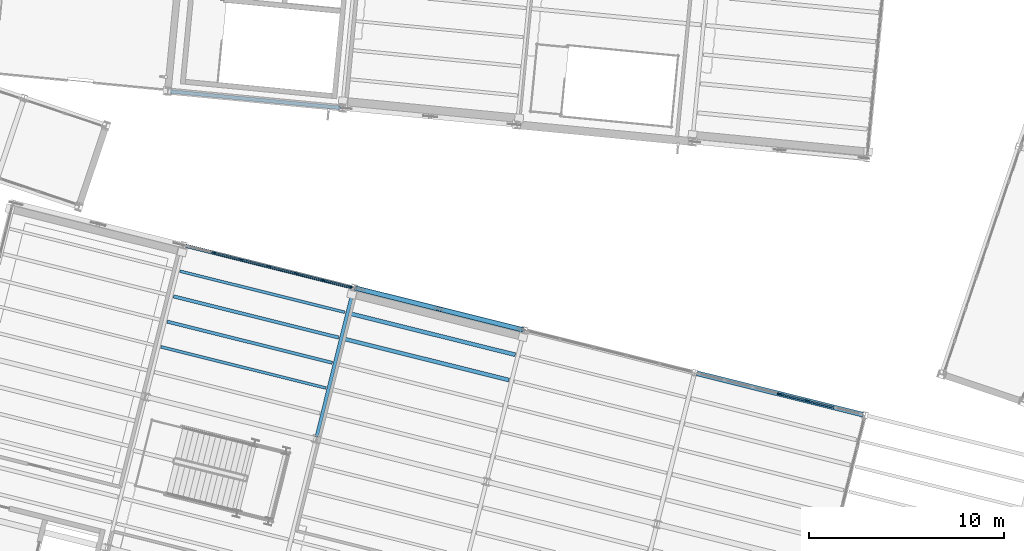
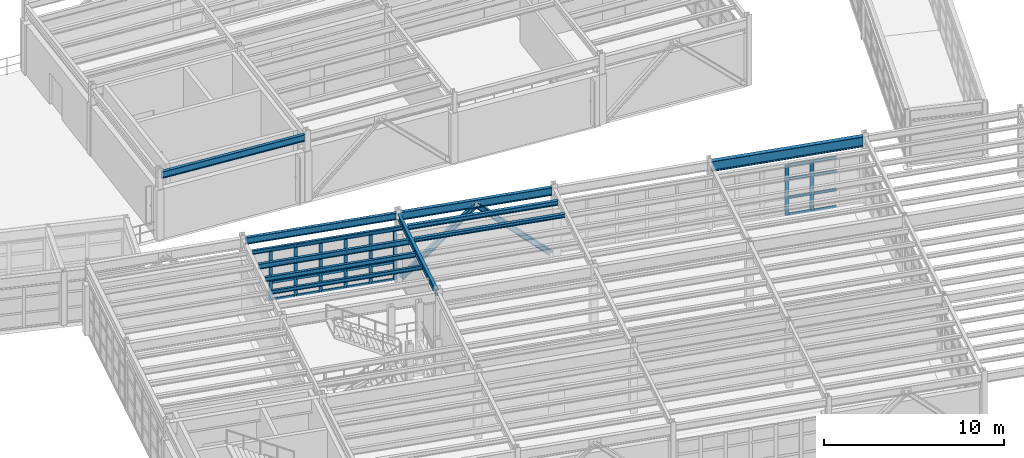
# One storey, part 32 of 102: 38 members, 11 beams, 2 elements without a shape of their own.
"""IFC4 building model written with IfcOpenShell, lengths in metres."""

import ifcopenshell
import ifcopenshell.guid

model = None  # the IFC model being written
_history = None  # IfcOwnerHistory: only IFC2X3 demands one
_inside = {}  # id of a spatial element -> (the spatial element, [elements in it])
_under = {}  # id of a project, library or spatial element -> (it, [spatial elements below it])
_declared = {}  # id of a project -> (the project, [libraries it declares])
_typed = {}  # id of a type object -> (the type object, [elements of that type])
_made_of = {}  # id of a material, layer set ... -> (it, [elements and type objects made of it])


def new_model(schema):
    """Start an empty IFC model of exactly this schema.

    Asked for "IFC4X3", IfcOpenShell would pick the latest addendum, in which some entities
    have other attributes; the version numbers below select the first issue.
    IFC2X3 requires an IfcOwnerHistory on every rooted entity: one is made here for all.
    """
    global model, _history
    if schema == "IFC4X3":
        model = ifcopenshell.file(schema_version=(4, 3, 0, 0))
    else:
        model = ifcopenshell.file(schema=schema)
    _inside.clear()
    _under.clear()
    _declared.clear()
    _typed.clear()
    _made_of.clear()
    _history = None
    if model.schema == "IFC2X3":
        org = make("IfcOrganization", Name="unknown")
        user = make(
            "IfcPersonAndOrganization",
            ThePerson=make("IfcPerson", FamilyName="unknown"),
            TheOrganization=org,
        )
        app = make(
            "IfcApplication",
            ApplicationDeveloper=org,
            Version="unknown",
            ApplicationFullName="unknown",
            ApplicationIdentifier="unknown",
        )
        _history = make(
            "IfcOwnerHistory",
            OwningUser=user,
            OwningApplication=app,
            ChangeAction="ADDED",
            CreationDate=0,
        )
    return model


def make(cls, **values):
    """One entity of the class cls with the attributes given. An attribute that is None is left unset."""
    return model.create_entity(
        cls, **{name: value for name, value in values.items() if value is not None}
    )


def rooted(cls, **values):
    """An entity with a GlobalId (a new one), such as an element, a storey or a relation."""
    return make(cls, GlobalId=ifcopenshell.guid.new(), OwnerHistory=_history, **values)


def si_unit(unit_type, name, prefix=None):
    """IfcSIUnit, for example si_unit("LENGTHUNIT", "METRE", prefix="MILLI")."""
    return make("IfcSIUnit", UnitType=unit_type, Prefix=prefix, Name=name)


def assignment(units):
    """IfcUnitAssignment: the units of a project."""
    return None if units is None else make("IfcUnitAssignment", Units=units)


def point(xyz):
    """IfcCartesianPoint."""
    return None if xyz is None else make("IfcCartesianPoint", Coordinates=xyz)


def direction(xyz):
    """IfcDirection."""
    return None if xyz is None else make("IfcDirection", DirectionRatios=xyz)


def frame(location, z_axis=None, x_axis=None):
    """IfcAxis2Placement3D, a coordinate frame: its origin and axes. An axis left out is left unset."""
    return make(
        "IfcAxis2Placement3D",
        Location=point(location),
        Axis=direction(z_axis),
        RefDirection=direction(x_axis),
    )


def frame_2d(location, x_axis=None):
    """IfcAxis2Placement2D, a coordinate frame in the plane: its origin and x axis."""
    return make(
        "IfcAxis2Placement2D", Location=point(location), RefDirection=direction(x_axis)
    )


def origin():
    """The frame at (0, 0, 0) with its axes left unset."""
    return frame((0.0, 0.0, 0.0))


def origin_2d():
    """The frame at (0, 0) in the plane with its x axis left unset."""
    return frame_2d((0.0, 0.0))


def place(relative_to, where):
    """IfcLocalPlacement: puts the frame where relative to a parent placement (None: the world)."""
    return make(
        "IfcLocalPlacement", PlacementRelTo=relative_to, RelativePlacement=where
    )


def context(
    kind, dimensions, precision=None, world=None, true_north=None, identifier=None
):
    """IfcGeometricRepresentationContext, for example the 3D "Model" context."""
    return make(
        "IfcGeometricRepresentationContext",
        ContextIdentifier=identifier,
        ContextType=kind,
        CoordinateSpaceDimension=dimensions,
        Precision=precision,
        WorldCoordinateSystem=world,
        TrueNorth=true_north,
    )


def subcontext(parent, identifier, kind, view, scale=None):
    """IfcGeometricRepresentationSubContext, for example "Body" below "Model"."""
    return make(
        "IfcGeometricRepresentationSubContext",
        ContextIdentifier=identifier,
        ContextType=kind,
        ParentContext=parent,
        TargetScale=scale,
        TargetView=view,
    )


def project(units=None, contexts=None):
    """IfcProject with its units and contexts."""
    return rooted(
        "IfcProject",
        Name="project",
        RepresentationContexts=contexts,
        UnitsInContext=assignment(units),
    )


def spatial(cls, under=None, at=None, **own):
    """A site, building, storey or space (cls), placed at a placement, below another one or the project."""
    s = rooted(cls, ObjectPlacement=at, **own)
    if under is not None:
        _under.setdefault(under.id(), (under, []))[1].append(s)
    return s


def profile(cls, at=None, kind="AREA", **sizes):
    """A parametric profile (cls). Its sizes go by their IFC names, for example OverallWidth=200.0."""
    return make(cls, ProfileType=kind, Position=at, **sizes)


def rectangle(**sizes):
    """IfcRectangleProfileDef."""
    return profile("IfcRectangleProfileDef", **sizes)


def i_section(**sizes):
    """IfcIShapeProfileDef."""
    return profile("IfcIShapeProfileDef", **sizes)


def extrude(swept, where, along, depth):
    """IfcExtrudedAreaSolid: the profile swept, set in the frame where, extruded along a direction by depth."""
    return make(
        "IfcExtrudedAreaSolid",
        SweptArea=swept,
        Position=where,
        ExtrudedDirection=direction(along),
        Depth=depth,
    )


def shape(context_of_items, identifier, shape_type, items):
    """IfcShapeRepresentation: the items that make up one representation, for example the "Body"."""
    return make(
        "IfcShapeRepresentation",
        ContextOfItems=context_of_items,
        RepresentationIdentifier=identifier,
        RepresentationType=shape_type,
        Items=items,
    )


def material(Name=None, Category=None):
    """IfcMaterial."""
    return make("IfcMaterial", Name=Name, Category=Category)


def layer(
    of_material, thickness, ventilated=None, Name=None, Category=None, Priority=None
):
    """IfcMaterialLayer: one layer of a wall or slab, of a material (None: an air gap)."""
    return make(
        "IfcMaterialLayer",
        Material=of_material,
        LayerThickness=thickness,
        IsVentilated=ventilated,
        Name=Name,
        Category=Category,
        Priority=Priority,
    )


def layer_set(layers, Name=None):
    """IfcMaterialLayerSet."""
    return make("IfcMaterialLayerSet", MaterialLayers=layers, LayerSetName=Name)


def material_profile(
    of_material, cross_section, Name=None, Category=None, Priority=None
):
    """IfcMaterialProfile: a cross section and its material."""
    return make(
        "IfcMaterialProfile",
        Name=Name,
        Material=of_material,
        Profile=cross_section,
        Priority=Priority,
        Category=Category,
    )


def profile_set(profiles, Name=None, composite=None):
    """IfcMaterialProfileSet."""
    return make(
        "IfcMaterialProfileSet",
        Name=Name,
        MaterialProfiles=profiles,
        CompositeProfile=composite,
    )


def made_of(thing, what):
    """Note that an element or type object is made of a material, layer set ...; save() writes the relation."""
    if what is not None:
        _made_of.setdefault(what.id(), (what, []))[1].append(thing)
    return thing


def type_object(cls, material=None, **own):
    """A type object (cls), such as IfcWallType, which elements share."""
    return made_of(rooted(cls, **own), material)


def element(
    cls,
    number,
    at=None,
    inside=None,
    cuts=None,
    type_object=None,
    material=None,
    context=None,
    identifier="Body",
    shape_type=None,
    held_by="IfcProductDefinitionShape",
    body=None,
    shapes=None,
    **own,
):
    """One element of the class cls, such as IfcWall. Its Tag is "e" and its number.

    at: its placement. inside: the storey or other place that contains it. cuts: it is an
    opening in that element (IfcRelVoidsElement). A single representation is given by context,
    identifier, shape_type and body (its items); several are given by shapes. held_by: the class
    of the entity that holds the representations. save() writes the other relations.
    """
    e = rooted(cls, Tag="e%d" % number, ObjectPlacement=at, **own)
    if body is not None:
        shapes = [shape(context, identifier, shape_type, body)]
    if shapes is not None:
        e.Representation = make(held_by, Representations=shapes)
    if inside is not None:
        _inside.setdefault(inside.id(), (inside, []))[1].append(e)
    if cuts is not None:
        rooted(
            "IfcRelVoidsElement", RelatingBuildingElement=cuts, RelatedOpeningElement=e
        )
    if type_object is not None:
        _typed.setdefault(type_object.id(), (type_object, []))[1].append(e)
    return made_of(e, material)


def aggregate(whole, parts):
    """IfcRelAggregates: a whole, such as a stair, and the parts it consists of."""
    return rooted("IfcRelAggregates", RelatingObject=whole, RelatedObjects=parts)


def save(model, path):
    """Write the relations noted so far, then the file.

    IfcRelAggregates (storeys below a building ...), IfcRelContainedInSpatialStructure (elements
    in a storey), IfcRelDefinesByType, IfcRelAssociatesMaterial and IfcRelDeclares: one each for
    every whole, place, type object, material and project.
    """
    for whole, parts in _under.values():
        aggregate(whole, parts)
    for where, things in _inside.values():
        rooted(
            "IfcRelContainedInSpatialStructure",
            RelatedElements=things,
            RelatingStructure=where,
        )
    for kind, things in _typed.values():
        rooted("IfcRelDefinesByType", RelatedObjects=things, RelatingType=kind)
    for what, things in _made_of.values():
        rooted("IfcRelAssociatesMaterial", RelatedObjects=things, RelatingMaterial=what)
    for by, libraries in _declared.values():
        rooted("IfcRelDeclares", RelatingContext=by, RelatedDefinitions=libraries)
    model.write(path)


model = new_model("IFC4")

# Units and contexts
model_context = context("Model", 3, precision=1e-05, world=origin(), true_north=direction((0.0, 1.0)))
body_context = subcontext(model_context, "Body", "Model", "MODEL_VIEW")
ifc_project = project(units=[si_unit("LENGTHUNIT", "METRE"), si_unit("AREAUNIT", "SQUARE_METRE"), si_unit("VOLUMEUNIT", "CUBIC_METRE"), si_unit("PLANEANGLEUNIT", "RADIAN"), si_unit("MASSUNIT", "GRAM", prefix="KILO")], contexts=[model_context])

# Site, building, storey
site_placement = place(None, origin())
site = spatial("IfcSite", under=ifc_project, at=site_placement, CompositionType="ELEMENT")
building_placement = place(site_placement, origin())
building = spatial("IfcBuilding", under=site, at=building_placement, Name="Vireo Bluff Cable Station", CompositionType="ELEMENT")
storey_placement = place(building_placement, frame((0.0, 0.0, 9.60009765625)))
storey = spatial("IfcBuildingStorey", under=building, at=storey_placement, Name="L02", CompositionType="ELEMENT", Elevation=9.60009765625)

# Beam
ifc_material_1 = material(Name="Steel ASTM A992 Gr. 50", Category="steel")
ifc_material_profile_1 = material_profile(ifc_material_1, i_section(OverallWidth=0.178955078125, OverallDepth=0.408935546875, WebThickness=0.0087890625, FlangeThickness=0.014404296875, FilletRadius=0.010009765625, at=origin_2d()), Name="W16X45")
ifc_profile_set_1 = profile_set([ifc_material_profile_1], Name="Steel ASTM A992 Gr. 50")
beam_type_1 = type_object("IfcBeamType", Name="BM-W16X45", PredefinedType="BEAM", material=ifc_profile_set_1)
beam_1_placement = place(storey_placement, frame((75.364990234375, 49.28662109375, 4.33544921875), z_axis=(0.241935966891, 0.970292217801, 0.0), x_axis=(-0.970292217801, 0.241935966891, 0.0)))
element("IfcBeam", 1, at=beam_1_placement, inside=storey, type_object=beam_type_1, Name="V1 L02 beam 177", PredefinedType="BEAM", context=body_context, shape_type="SweptSolid", body=[
    extrude(i_section(OverallWidth=0.178955078125, OverallDepth=0.408935546875, WebThickness=0.0087890625, FlangeThickness=0.014404296875, FilletRadius=0.010009765625, at=origin_2d()), origin(), (0.0, 0.0, 1.0), 7.760009765625),
])

# Members
ifc_material_profile_2 = material_profile(ifc_material_1, i_section(OverallWidth=0.25390625, OverallDepth=0.305908203125, WebThickness=0.0087890625, FlangeThickness=0.0146484375, FilletRadius=0.010986328125, at=origin_2d()), Name="W12X53")
ifc_profile_set_2 = profile_set([ifc_material_profile_2], Name="Steel ASTM A992 Gr. 50")
member_type_1 = type_object("IfcMemberType", Name="BRC-04", PredefinedType="BRACE", material=ifc_profile_set_2)
member_1_placement = place(storey_placement, frame((77.4267578125, 56.893798828125, 0.039794921875), z_axis=(0.702063519762, -0.175068135349, 0.690259344163), x_axis=(0.241953175614, 0.970287926757, 0.0)))
element("IfcMember", 2, at=member_1_placement, inside=storey, type_object=member_type_1, Name="V1 L02 concentric brace 9L", PredefinedType="BRACE", context=body_context, shape_type="SweptSolid", body=[
    extrude(i_section(OverallWidth=0.25390625, OverallDepth=0.305908203125, WebThickness=0.0087890625, FlangeThickness=0.0146484375, FilletRadius=0.010986328125, at=origin_2d()), origin(), (0.0, 0.0, 1.0), 5.998046875),
])
ifc_material_profile_3 = material_profile(ifc_material_1, i_section(OverallWidth=0.25390625, OverallDepth=0.31005859375, WebThickness=0.009033203125, FlangeThickness=0.016357421875, FilletRadius=0.010986328125, at=origin_2d()), Name="W12X58")
ifc_profile_set_3 = profile_set([ifc_material_profile_3], Name="Steel ASTM A992 Gr. 50")
member_type_2 = type_object("IfcMemberType", Name="BRC-05", PredefinedType="BRACE", material=ifc_profile_set_3)
member_2_placement = place(storey_placement, frame((85.848876953125, 54.7939453125, 0.039794921875), z_axis=(-0.702089162406, 0.175023676639, 0.690244536847), x_axis=(-0.241887009228, -0.970304423759, 0.0)))
element("IfcMember", 3, at=member_2_placement, inside=storey, type_object=member_type_2, Name="V1 L02 concentric brace 10R", PredefinedType="BRACE", context=body_context, shape_type="SweptSolid", body=[
    extrude(i_section(OverallWidth=0.25390625, OverallDepth=0.31005859375, WebThickness=0.009033203125, FlangeThickness=0.016357421875, FilletRadius=0.010986328125, at=origin_2d()), origin(), (0.0, 0.0, 1.0), 5.998046875),
])

# Curtain wall, members
ifc_material_2 = material(Name="Anodized Aluminium 6063-T6", Category="aluminium")
ifc_layer_1 = layer(ifc_material_2, 0.179931640625, Name="Anodized Aluminium 6063-T6")
ifc_layer_set_1 = layer_set([ifc_layer_1], Name="Anodized Aluminium 6063-T6")
curtain_wall_type_1 = type_object("IfcCurtainWallType", Name="CW-UNIT-1500", PredefinedType="USERDEFINED", material=ifc_layer_set_1)
curtain_wall_1_placement = place(storey_placement, origin())
curtain_wall_1 = element("IfcCurtainWall", 4, at=curtain_wall_1_placement, inside=storey, type_object=curtain_wall_type_1, Name="V1 L02 north curtain wall CW-013", ObjectType="UNITISED CURTAIN WALL", PredefinedType="USERDEFINED")
ifc_material_profile_4 = material_profile(ifc_material_2, rectangle(XDim=0.074951171875, YDim=0.2099609375, at=origin_2d()), Name="ALU-M-75X210")
ifc_profile_set_4 = profile_set([ifc_material_profile_4], Name="Anodized Aluminium 6063-T6")
member_type_3 = type_object("IfcMemberType", Name="CWM-02", PredefinedType="MULLION", material=ifc_profile_set_4)
member_3_placement = place(storey_placement, frame((70.0966796875, 58.721435546875, 0.0), z_axis=(0.0, 0.0, 1.0), x_axis=(0.24192190952, 0.970295722805, 0.0)))
member_3 = element("IfcMember", 5, at=member_3_placement, type_object=member_type_3, Name="CW-013 mullion 2", PredefinedType="MULLION", context=body_context, shape_type="SweptSolid", body=[
    extrude(rectangle(XDim=0.074951171875, YDim=0.2099609375, at=origin_2d()), origin(), (0.0, 0.0, 1.0), 3.39990234375),
])
member_4_placement = place(storey_placement, frame((71.5009765625, 58.371337890625, 0.0), z_axis=(0.0, 0.0, 1.0), x_axis=(0.24192190952, 0.970295722805, 0.0)))
member_4 = element("IfcMember", 6, at=member_4_placement, type_object=member_type_3, Name="CW-013 mullion 3", PredefinedType="MULLION", context=body_context, shape_type="SweptSolid", body=[
    extrude(rectangle(XDim=0.074951171875, YDim=0.2099609375, at=origin_2d()), origin(), (0.0, 0.0, 1.0), 3.39990234375),
])
member_5_placement = place(storey_placement, frame((72.905029296875, 58.021240234375, 0.0), z_axis=(0.0, 0.0, 1.0), x_axis=(0.24192190952, 0.970295722805, 0.0)))
member_5 = element("IfcMember", 7, at=member_5_placement, type_object=member_type_3, Name="CW-013 mullion 4", PredefinedType="MULLION", context=body_context, shape_type="SweptSolid", body=[
    extrude(rectangle(XDim=0.074951171875, YDim=0.2099609375, at=origin_2d()), origin(), (0.0, 0.0, 1.0), 3.39990234375),
])
member_6_placement = place(storey_placement, frame((74.309326171875, 57.671142578125, 0.0), z_axis=(0.0, 0.0, 1.0), x_axis=(0.24192190952, 0.970295722805, 0.0)))
member_6 = element("IfcMember", 8, at=member_6_placement, type_object=member_type_3, Name="CW-013 mullion 5", PredefinedType="MULLION", context=body_context, shape_type="SweptSolid", body=[
    extrude(rectangle(XDim=0.074951171875, YDim=0.2099609375, at=origin_2d()), origin(), (0.0, 0.0, 1.0), 3.39990234375),
])
member_7_placement = place(storey_placement, frame((75.71337890625, 57.321044921875, 0.0), z_axis=(0.0, 0.0, 1.0), x_axis=(0.24192190952, 0.970295722805, 0.0)))
member_7 = element("IfcMember", 9, at=member_7_placement, type_object=member_type_3, Name="CW-013 mullion 6", PredefinedType="MULLION", context=body_context, shape_type="SweptSolid", body=[
    extrude(rectangle(XDim=0.074951171875, YDim=0.2099609375, at=origin_2d()), origin(), (0.0, 0.0, 1.0), 3.39990234375),
])
member_8_placement = place(storey_placement, frame((77.081298828125, 56.97998046875, 0.0), z_axis=(0.0, 0.0, 1.0), x_axis=(0.24192190952, 0.970295722805, 0.0)))
member_8 = element("IfcMember", 10, at=member_8_placement, type_object=member_type_3, Name="CW-013 mullion 7", PredefinedType="MULLION", context=body_context, shape_type="SweptSolid", body=[
    extrude(rectangle(XDim=0.074951171875, YDim=0.2099609375, at=origin_2d()), origin(), (0.0, 0.0, 1.0), 3.39990234375),
])

ifc_layer_2 = layer(ifc_material_2, 0.179931640625, Name="Anodized Aluminium 6063-T6")
ifc_layer_set_2 = layer_set([ifc_layer_2], Name="Anodized Aluminium 6063-T6")
curtain_wall_type_2 = type_object("IfcCurtainWallType", Name="CW-UNIT-1400", PredefinedType="USERDEFINED", material=ifc_layer_set_2)
curtain_wall_2_placement = place(storey_placement, origin())
curtain_wall_2 = element("IfcCurtainWall", 11, at=curtain_wall_2_placement, inside=storey, type_object=curtain_wall_type_2, Name="V1 L02 north curtain wall CW-015", ObjectType="UNITISED CURTAIN WALL", PredefinedType="USERDEFINED")
ifc_material_profile_5 = material_profile(ifc_material_2, rectangle(XDim=0.080078125, YDim=0.239990234375, at=origin_2d()), Name="ALU-M-80X240")
ifc_profile_set_5 = profile_set([ifc_material_profile_5], Name="Anodized Aluminium 6063-T6")
member_type_4 = type_object("IfcMemberType", Name="CWM-04", PredefinedType="MULLION", material=ifc_profile_set_5)
member_9_placement = place(storey_placement, frame((99.0888671875, 51.492919921875, 0.0), z_axis=(0.0, 0.0, 1.0), x_axis=(0.241921853788, 0.970295736701, 0.0)))
member_9 = element("IfcMember", 12, at=member_9_placement, type_object=member_type_4, Name="CW-015 mullion 4", PredefinedType="MULLION", context=body_context, shape_type="SweptSolid", body=[
    extrude(rectangle(XDim=0.080078125, YDim=0.239990234375, at=origin_2d()), origin(), (0.0, 0.0, 1.0), 3.39990234375),
])
member_10_placement = place(storey_placement, frame((100.497802734375, 51.1416015625, 0.0), z_axis=(0.0, 0.0, 1.0), x_axis=(0.241921853788, 0.970295736701, 0.0)))
member_10 = element("IfcMember", 13, at=member_10_placement, type_object=member_type_4, Name="CW-015 mullion 5", PredefinedType="MULLION", context=body_context, shape_type="SweptSolid", body=[
    extrude(rectangle(XDim=0.080078125, YDim=0.239990234375, at=origin_2d()), origin(), (0.0, 0.0, 1.0), 3.39990234375),
])

# Member
ifc_material_profile_6 = material_profile(ifc_material_2, rectangle(XDim=0.074951171875, YDim=0.159912109375, at=origin_2d()), Name="ALU-T-75X160")
ifc_profile_set_6 = profile_set([ifc_material_profile_6], Name="Anodized Aluminium 6063-T6")
member_type_5 = type_object("IfcMemberType", Name="CWT-02", PredefinedType="USERDEFINED", material=ifc_profile_set_6)
member_11_placement = place(storey_placement, frame((70.133056640625, 58.71240234375, 0.037353515625), z_axis=(0.97028883238, -0.241949543828, 0.0), x_axis=(0.241949543828, 0.97028883238, 0.0)))
member_11 = element("IfcMember", 14, at=member_11_placement, type_object=member_type_5, Name="CW-013 transom 2.1", ObjectType="TRANSOM", PredefinedType="USERDEFINED", context=body_context, shape_type="SweptSolid", body=[
    extrude(rectangle(XDim=0.074951171875, YDim=0.159912109375, at=origin_2d()), origin(), (0.0, 0.0, 1.0), 1.372314453125),
])

member_12_placement = place(storey_placement, frame((70.133056640625, 58.71240234375, 1.18994140625), z_axis=(0.97028883238, -0.241949543828, 0.0), x_axis=(0.241949543828, 0.97028883238, 0.0)))
member_12 = element("IfcMember", 15, at=member_12_placement, type_object=member_type_5, Name="CW-013 transom 2.2", ObjectType="TRANSOM", PredefinedType="USERDEFINED", context=body_context, shape_type="SweptSolid", body=[
    extrude(rectangle(XDim=0.074951171875, YDim=0.159912109375, at=origin_2d()), origin(), (0.0, 0.0, 1.0), 1.372314453125),
])

member_13_placement = place(storey_placement, frame((70.133056640625, 58.71240234375, 2.447998046875), z_axis=(0.97028883238, -0.241949543828, 0.0), x_axis=(0.241949543828, 0.97028883238, 0.0)))
member_13 = element("IfcMember", 16, at=member_13_placement, type_object=member_type_5, Name="CW-013 transom 2.3", ObjectType="TRANSOM", PredefinedType="USERDEFINED", context=body_context, shape_type="SweptSolid", body=[
    extrude(rectangle(XDim=0.074951171875, YDim=0.159912109375, at=origin_2d()), origin(), (0.0, 0.0, 1.0), 1.372314453125),
])

member_14_placement = place(storey_placement, frame((70.133056640625, 58.71240234375, 3.3623046875), z_axis=(0.97028883238, -0.241949543828, 0.0), x_axis=(0.241949543828, 0.97028883238, 0.0)))
member_14 = element("IfcMember", 17, at=member_14_placement, type_object=member_type_5, Name="CW-013 transom 2.4", ObjectType="TRANSOM", PredefinedType="USERDEFINED", context=body_context, shape_type="SweptSolid", body=[
    extrude(rectangle(XDim=0.074951171875, YDim=0.159912109375, at=origin_2d()), origin(), (0.0, 0.0, 1.0), 1.372314453125),
])

member_15_placement = place(storey_placement, frame((71.537353515625, 58.362060546875, 0.037353515625), z_axis=(0.970320181492, -0.241823789959, 0.0), x_axis=(0.241823789959, 0.970320181492, 0.0)))
member_15 = element("IfcMember", 18, at=member_15_placement, type_object=member_type_5, Name="CW-013 transom 3.1", ObjectType="TRANSOM", PredefinedType="USERDEFINED", context=body_context, shape_type="SweptSolid", body=[
    extrude(rectangle(XDim=0.074951171875, YDim=0.159912109375, at=origin_2d()), origin(), (0.0, 0.0, 1.0), 1.3720703125),
])

member_16_placement = place(storey_placement, frame((71.537353515625, 58.362060546875, 1.18994140625), z_axis=(0.970320181492, -0.241823789959, 0.0), x_axis=(0.241823789959, 0.970320181492, 0.0)))
member_16 = element("IfcMember", 19, at=member_16_placement, type_object=member_type_5, Name="CW-013 transom 3.2", ObjectType="TRANSOM", PredefinedType="USERDEFINED", context=body_context, shape_type="SweptSolid", body=[
    extrude(rectangle(XDim=0.074951171875, YDim=0.159912109375, at=origin_2d()), origin(), (0.0, 0.0, 1.0), 1.3720703125),
])

member_17_placement = place(storey_placement, frame((71.537353515625, 58.362060546875, 2.447998046875), z_axis=(0.970320181492, -0.241823789959, 0.0), x_axis=(0.241823789959, 0.970320181492, 0.0)))
member_17 = element("IfcMember", 20, at=member_17_placement, type_object=member_type_5, Name="CW-013 transom 3.3", ObjectType="TRANSOM", PredefinedType="USERDEFINED", context=body_context, shape_type="SweptSolid", body=[
    extrude(rectangle(XDim=0.074951171875, YDim=0.159912109375, at=origin_2d()), origin(), (0.0, 0.0, 1.0), 1.3720703125),
])

member_18_placement = place(storey_placement, frame((71.537353515625, 58.362060546875, 3.3623046875), z_axis=(0.970320181492, -0.241823789959, 0.0), x_axis=(0.241823789959, 0.970320181492, 0.0)))
member_18 = element("IfcMember", 21, at=member_18_placement, type_object=member_type_5, Name="CW-013 transom 3.4", ObjectType="TRANSOM", PredefinedType="USERDEFINED", context=body_context, shape_type="SweptSolid", body=[
    extrude(rectangle(XDim=0.074951171875, YDim=0.159912109375, at=origin_2d()), origin(), (0.0, 0.0, 1.0), 1.3720703125),
])

member_19_placement = place(storey_placement, frame((72.94140625, 58.011962890625, 0.037353515625), z_axis=(0.970330584648, -0.241782043369, 0.0), x_axis=(0.241782043369, 0.970330584648, 0.0)))
member_19 = element("IfcMember", 22, at=member_19_placement, type_object=member_type_5, Name="CW-013 transom 4.1", ObjectType="TRANSOM", PredefinedType="USERDEFINED", context=body_context, shape_type="SweptSolid", body=[
    extrude(rectangle(XDim=0.074951171875, YDim=0.159912109375, at=origin_2d()), origin(), (0.0, 0.0, 1.0), 1.372314453125),
])

member_20_placement = place(storey_placement, frame((72.94140625, 58.011962890625, 1.18994140625), z_axis=(0.970330584648, -0.241782043369, 0.0), x_axis=(0.241782043369, 0.970330584648, 0.0)))
member_20 = element("IfcMember", 23, at=member_20_placement, type_object=member_type_5, Name="CW-013 transom 4.2", ObjectType="TRANSOM", PredefinedType="USERDEFINED", context=body_context, shape_type="SweptSolid", body=[
    extrude(rectangle(XDim=0.074951171875, YDim=0.159912109375, at=origin_2d()), origin(), (0.0, 0.0, 1.0), 1.372314453125),
])

member_21_placement = place(storey_placement, frame((72.94140625, 58.011962890625, 2.447998046875), z_axis=(0.970330584648, -0.241782043369, 0.0), x_axis=(0.241782043369, 0.970330584648, 0.0)))
member_21 = element("IfcMember", 24, at=member_21_placement, type_object=member_type_5, Name="CW-013 transom 4.3", ObjectType="TRANSOM", PredefinedType="USERDEFINED", context=body_context, shape_type="SweptSolid", body=[
    extrude(rectangle(XDim=0.074951171875, YDim=0.159912109375, at=origin_2d()), origin(), (0.0, 0.0, 1.0), 1.372314453125),
])

member_22_placement = place(storey_placement, frame((72.94140625, 58.011962890625, 3.3623046875), z_axis=(0.970330584648, -0.241782043369, 0.0), x_axis=(0.241782043369, 0.970330584648, 0.0)))
member_22 = element("IfcMember", 25, at=member_22_placement, type_object=member_type_5, Name="CW-013 transom 4.4", ObjectType="TRANSOM", PredefinedType="USERDEFINED", context=body_context, shape_type="SweptSolid", body=[
    extrude(rectangle(XDim=0.074951171875, YDim=0.159912109375, at=origin_2d()), origin(), (0.0, 0.0, 1.0), 1.372314453125),
])

member_23_placement = place(storey_placement, frame((74.345703125, 57.661865234375, 0.037353515625), z_axis=(0.970320181492, -0.241823789959, 0.0), x_axis=(0.241823789959, 0.970320181492, 0.0)))
member_23 = element("IfcMember", 26, at=member_23_placement, type_object=member_type_5, Name="CW-013 transom 5.1", ObjectType="TRANSOM", PredefinedType="USERDEFINED", context=body_context, shape_type="SweptSolid", body=[
    extrude(rectangle(XDim=0.074951171875, YDim=0.159912109375, at=origin_2d()), origin(), (0.0, 0.0, 1.0), 1.3720703125),
])

member_24_placement = place(storey_placement, frame((74.345703125, 57.661865234375, 1.18994140625), z_axis=(0.970320181492, -0.241823789959, 0.0), x_axis=(0.241823789959, 0.970320181492, 0.0)))
member_24 = element("IfcMember", 27, at=member_24_placement, type_object=member_type_5, Name="CW-013 transom 5.2", ObjectType="TRANSOM", PredefinedType="USERDEFINED", context=body_context, shape_type="SweptSolid", body=[
    extrude(rectangle(XDim=0.074951171875, YDim=0.159912109375, at=origin_2d()), origin(), (0.0, 0.0, 1.0), 1.3720703125),
])

member_25_placement = place(storey_placement, frame((74.345703125, 57.661865234375, 2.447998046875), z_axis=(0.970320181492, -0.241823789959, 0.0), x_axis=(0.241823789959, 0.970320181492, 0.0)))
member_25 = element("IfcMember", 28, at=member_25_placement, type_object=member_type_5, Name="CW-013 transom 5.3", ObjectType="TRANSOM", PredefinedType="USERDEFINED", context=body_context, shape_type="SweptSolid", body=[
    extrude(rectangle(XDim=0.074951171875, YDim=0.159912109375, at=origin_2d()), origin(), (0.0, 0.0, 1.0), 1.3720703125),
])

member_26_placement = place(storey_placement, frame((74.345703125, 57.661865234375, 3.3623046875), z_axis=(0.970320181492, -0.241823789959, 0.0), x_axis=(0.241823789959, 0.970320181492, 0.0)))
member_26 = element("IfcMember", 29, at=member_26_placement, type_object=member_type_5, Name="CW-013 transom 5.4", ObjectType="TRANSOM", PredefinedType="USERDEFINED", context=body_context, shape_type="SweptSolid", body=[
    extrude(rectangle(XDim=0.074951171875, YDim=0.159912109375, at=origin_2d()), origin(), (0.0, 0.0, 1.0), 1.3720703125),
])

member_27_placement = place(storey_placement, frame((75.749755859375, 57.311767578125, 0.037353515625), z_axis=(0.970325131926, -0.24180392543, 0.0), x_axis=(0.24180392543, 0.970325131926, 0.0)))
member_27 = element("IfcMember", 30, at=member_27_placement, type_object=member_type_5, Name="CW-013 transom 6.1", ObjectType="TRANSOM", PredefinedType="USERDEFINED", context=body_context, shape_type="SweptSolid", body=[
    extrude(rectangle(XDim=0.074951171875, YDim=0.159912109375, at=origin_2d()), origin(), (0.0, 0.0, 1.0), 1.334716796875),
])

member_28_placement = place(storey_placement, frame((75.749755859375, 57.311767578125, 1.18994140625), z_axis=(0.970325131926, -0.24180392543, 0.0), x_axis=(0.24180392543, 0.970325131926, 0.0)))
member_28 = element("IfcMember", 31, at=member_28_placement, type_object=member_type_5, Name="CW-013 transom 6.2", ObjectType="TRANSOM", PredefinedType="USERDEFINED", context=body_context, shape_type="SweptSolid", body=[
    extrude(rectangle(XDim=0.074951171875, YDim=0.159912109375, at=origin_2d()), origin(), (0.0, 0.0, 1.0), 1.334716796875),
])

member_29_placement = place(storey_placement, frame((75.749755859375, 57.311767578125, 2.447998046875), z_axis=(0.970325131926, -0.24180392543, 0.0), x_axis=(0.24180392543, 0.970325131926, 0.0)))
member_29 = element("IfcMember", 32, at=member_29_placement, type_object=member_type_5, Name="CW-013 transom 6.3", ObjectType="TRANSOM", PredefinedType="USERDEFINED", context=body_context, shape_type="SweptSolid", body=[
    extrude(rectangle(XDim=0.074951171875, YDim=0.159912109375, at=origin_2d()), origin(), (0.0, 0.0, 1.0), 1.334716796875),
])

member_30_placement = place(storey_placement, frame((75.749755859375, 57.311767578125, 3.3623046875), z_axis=(0.970325131926, -0.24180392543, 0.0), x_axis=(0.24180392543, 0.970325131926, 0.0)))
member_30 = element("IfcMember", 33, at=member_30_placement, type_object=member_type_5, Name="CW-013 transom 6.4", ObjectType="TRANSOM", PredefinedType="USERDEFINED", context=body_context, shape_type="SweptSolid", body=[
    extrude(rectangle(XDim=0.074951171875, YDim=0.159912109375, at=origin_2d()), origin(), (0.0, 0.0, 1.0), 1.334716796875),
])

aggregate(curtain_wall_1, [member_3, member_4, member_5, member_6, member_7, member_8, member_11, member_12, member_13, member_14, member_15, member_16, member_17, member_18, member_19, member_20, member_21, member_22, member_23, member_24, member_25, member_26, member_27, member_28, member_29, member_30])

ifc_material_profile_7 = material_profile(ifc_material_2, rectangle(XDim=0.080078125, YDim=0.175048828125, at=origin_2d()), Name="ALU-T-80X175")
ifc_profile_set_7 = profile_set([ifc_material_profile_7], Name="Anodized Aluminium 6063-T6")
member_type_6 = type_object("IfcMemberType", Name="CWT-04", PredefinedType="USERDEFINED", material=ifc_profile_set_7)
member_31_placement = place(storey_placement, frame((99.127685546875, 51.483154296875, 0.039794921875), z_axis=(0.970278415253, -0.241991315742, 0.0), x_axis=(0.241991315742, 0.970278415253, 0.0)))
member_31 = element("IfcMember", 34, at=member_31_placement, type_object=member_type_6, Name="CW-015 transom 4.1", ObjectType="TRANSOM", PredefinedType="USERDEFINED", context=body_context, shape_type="SweptSolid", body=[
    extrude(rectangle(XDim=0.080078125, YDim=0.175048828125, at=origin_2d()), origin(), (0.0, 0.0, 1.0), 1.3720703125),
])

member_32_placement = place(storey_placement, frame((99.127685546875, 51.483154296875, 1.18994140625), z_axis=(0.970278415253, -0.241991315742, 0.0), x_axis=(0.241991315742, 0.970278415253, 0.0)))
member_32 = element("IfcMember", 35, at=member_32_placement, type_object=member_type_6, Name="CW-015 transom 4.2", ObjectType="TRANSOM", PredefinedType="USERDEFINED", context=body_context, shape_type="SweptSolid", body=[
    extrude(rectangle(XDim=0.080078125, YDim=0.175048828125, at=origin_2d()), origin(), (0.0, 0.0, 1.0), 1.3720703125),
])

member_33_placement = place(storey_placement, frame((99.127685546875, 51.483154296875, 2.447998046875), z_axis=(0.970278415253, -0.241991315742, 0.0), x_axis=(0.241991315742, 0.970278415253, 0.0)))
member_33 = element("IfcMember", 36, at=member_33_placement, type_object=member_type_6, Name="CW-015 transom 4.3", ObjectType="TRANSOM", PredefinedType="USERDEFINED", context=body_context, shape_type="SweptSolid", body=[
    extrude(rectangle(XDim=0.080078125, YDim=0.175048828125, at=origin_2d()), origin(), (0.0, 0.0, 1.0), 1.3720703125),
])

member_34_placement = place(storey_placement, frame((99.127685546875, 51.483154296875, 3.35986328125), z_axis=(0.970278415253, -0.241991315742, 0.0), x_axis=(0.241991315742, 0.970278415253, 0.0)))
member_34 = element("IfcMember", 37, at=member_34_placement, type_object=member_type_6, Name="CW-015 transom 4.4", ObjectType="TRANSOM", PredefinedType="USERDEFINED", context=body_context, shape_type="SweptSolid", body=[
    extrude(rectangle(XDim=0.080078125, YDim=0.175048828125, at=origin_2d()), origin(), (0.0, 0.0, 1.0), 1.3720703125),
])

member_35_placement = place(storey_placement, frame((100.53662109375, 51.1318359375, 0.039794921875), z_axis=(0.970278415253, -0.241991315742, 0.0), x_axis=(0.241991315742, 0.970278415253, 0.0)))
member_35 = element("IfcMember", 38, at=member_35_placement, type_object=member_type_6, Name="CW-015 transom 5.1", ObjectType="TRANSOM", PredefinedType="USERDEFINED", context=body_context, shape_type="SweptSolid", body=[
    extrude(rectangle(XDim=0.080078125, YDim=0.175048828125, at=origin_2d()), origin(), (0.0, 0.0, 1.0), 1.3720703125),
])

member_36_placement = place(storey_placement, frame((100.53662109375, 51.1318359375, 1.18994140625), z_axis=(0.970278415253, -0.241991315742, 0.0), x_axis=(0.241991315742, 0.970278415253, 0.0)))
member_36 = element("IfcMember", 39, at=member_36_placement, type_object=member_type_6, Name="CW-015 transom 5.2", ObjectType="TRANSOM", PredefinedType="USERDEFINED", context=body_context, shape_type="SweptSolid", body=[
    extrude(rectangle(XDim=0.080078125, YDim=0.175048828125, at=origin_2d()), origin(), (0.0, 0.0, 1.0), 1.3720703125),
])

member_37_placement = place(storey_placement, frame((100.53662109375, 51.1318359375, 2.447998046875), z_axis=(0.970278415253, -0.241991315742, 0.0), x_axis=(0.241991315742, 0.970278415253, 0.0)))
member_37 = element("IfcMember", 40, at=member_37_placement, type_object=member_type_6, Name="CW-015 transom 5.3", ObjectType="TRANSOM", PredefinedType="USERDEFINED", context=body_context, shape_type="SweptSolid", body=[
    extrude(rectangle(XDim=0.080078125, YDim=0.175048828125, at=origin_2d()), origin(), (0.0, 0.0, 1.0), 1.3720703125),
])

member_38_placement = place(storey_placement, frame((100.53662109375, 51.1318359375, 3.35986328125), z_axis=(0.970278415253, -0.241991315742, 0.0), x_axis=(0.241991315742, 0.970278415253, 0.0)))
member_38 = element("IfcMember", 41, at=member_38_placement, type_object=member_type_6, Name="CW-015 transom 5.4", ObjectType="TRANSOM", PredefinedType="USERDEFINED", context=body_context, shape_type="SweptSolid", body=[
    extrude(rectangle(XDim=0.080078125, YDim=0.175048828125, at=origin_2d()), origin(), (0.0, 0.0, 1.0), 1.3720703125),
])

aggregate(curtain_wall_2, [member_9, member_10, member_31, member_32, member_33, member_34, member_35, member_36, member_37, member_38])

# Beams
ifc_material_profile_8 = material_profile(ifc_material_1, i_section(OverallWidth=0.14599609375, OverallDepth=0.259033203125, WebThickness=0.006103515625, FlangeThickness=0.009033203125, FilletRadius=0.009033203125, at=origin_2d()), Name="W10X22")
ifc_profile_set_8 = profile_set([ifc_material_profile_8], Name="Steel ASTM A992 Gr. 50")
beam_type_2 = type_object("IfcBeamType", Name="JST-W10X22", PredefinedType="JOIST", material=ifc_profile_set_8)
beam_2_placement = place(storey_placement, frame((67.38427734375, 53.901123046875, 4.410400390625), z_axis=(0.970295467306, -0.24192293427, 0.0), x_axis=(0.24192293427, 0.970295467306, 0.0)))
element("IfcBeam", 42, at=beam_2_placement, inside=storey, type_object=beam_type_2, Name="V1 L02 composite joist 208", PredefinedType="JOIST", context=body_context, shape_type="SweptSolid", body=[
    extrude(i_section(OverallWidth=0.14599609375, OverallDepth=0.259033203125, WebThickness=0.006103515625, FlangeThickness=0.009033203125, FilletRadius=0.009033203125, at=origin_2d()), origin(), (0.0, 0.0, 1.0), 8.72021484375),
])
beam_3_placement = place(storey_placement, frame((68.35205078125, 57.7822265625, 4.410400390625), z_axis=(0.970293828661, -0.24192950639, 0.0), x_axis=(0.24192950639, 0.970293828661, 0.0)))
element("IfcBeam", 43, at=beam_3_placement, inside=storey, type_object=beam_type_2, Name="V1 L02 composite joist 211", PredefinedType="JOIST", context=body_context, shape_type="SweptSolid", body=[
    extrude(i_section(OverallWidth=0.14599609375, OverallDepth=0.259033203125, WebThickness=0.006103515625, FlangeThickness=0.009033203125, FilletRadius=0.009033203125, at=origin_2d()), origin(), (0.0, 0.0, 1.0), 8.719970703125),
])
ifc_material_profile_9 = material_profile(ifc_material_1, i_section(OverallWidth=0.201904296875, OverallDepth=0.2470703125, WebThickness=0.00732421875, FlangeThickness=0.010986328125, FilletRadius=0.009033203125, at=origin_2d()), Name="W10X33")
ifc_profile_set_9 = profile_set([ifc_material_profile_9], Name="Steel ASTM A992 Gr. 50")
beam_type_3 = type_object("IfcBeamType", Name="JST-W10X33", PredefinedType="JOIST", material=ifc_profile_set_9)
beam_4_placement = place(storey_placement, frame((76.76220703125, 54.311279296875, 4.41650390625), z_axis=(0.970293828661, -0.24192950639, 0.0), x_axis=(0.24192950639, 0.970293828661, 0.0)))
element("IfcBeam", 44, at=beam_4_placement, inside=storey, type_object=beam_type_3, Name="V1 L02 composite joist 225", PredefinedType="JOIST", context=body_context, shape_type="SweptSolid", body=[
    extrude(i_section(OverallWidth=0.201904296875, OverallDepth=0.2470703125, WebThickness=0.00732421875, FlangeThickness=0.010986328125, FilletRadius=0.009033203125, at=origin_2d()), origin(), (0.0, 0.0, 1.0), 8.719970703125),
])
ifc_material_profile_10 = material_profile(ifc_material_1, i_section(OverallWidth=0.1650390625, OverallDepth=0.31005859375, WebThickness=0.005859375, FlangeThickness=0.009765625, FilletRadius=0.010009765625, at=origin_2d()), Name="W12X26")
ifc_profile_set_10 = profile_set([ifc_material_profile_10], Name="Steel ASTM A992 Gr. 50")
beam_type_4 = type_object("IfcBeamType", Name="JST-W12X26", PredefinedType="JOIST", material=ifc_profile_set_10)
beam_5_placement = place(storey_placement, frame((67.70703125, 55.19482421875, 4.385009765625), z_axis=(0.970293828661, -0.24192950639, 0.0), x_axis=(0.24192950639, 0.970293828661, 0.0)))
element("IfcBeam", 45, at=beam_5_placement, inside=storey, type_object=beam_type_4, Name="V1 L02 composite joist 209", PredefinedType="JOIST", context=body_context, shape_type="SweptSolid", body=[
    extrude(i_section(OverallWidth=0.1650390625, OverallDepth=0.31005859375, WebThickness=0.005859375, FlangeThickness=0.009765625, FilletRadius=0.010009765625, at=origin_2d()), origin(), (0.0, 0.0, 1.0), 8.719970703125),
])
ifc_material_profile_11 = material_profile(ifc_material_1, i_section(OverallWidth=0.202880859375, OverallDepth=0.302978515625, WebThickness=0.007568359375, FlangeThickness=0.01318359375, FilletRadius=0.010009765625, at=origin_2d()), Name="W12X40")
ifc_profile_set_11 = profile_set([ifc_material_profile_11], Name="Steel ASTM A992 Gr. 50")
beam_type_5 = type_object("IfcBeamType", Name="JST-W12X40", PredefinedType="JOIST", material=ifc_profile_set_11)
beam_6_placement = place(storey_placement, frame((77.084716796875, 55.60498046875, 4.388427734375), z_axis=(0.970293828661, -0.24192950639, 0.0), x_axis=(0.24192950639, 0.970293828661, 0.0)))
element("IfcBeam", 46, at=beam_6_placement, inside=storey, type_object=beam_type_5, Name="V1 L02 composite joist 226", PredefinedType="JOIST", context=body_context, shape_type="SweptSolid", body=[
    extrude(i_section(OverallWidth=0.202880859375, OverallDepth=0.302978515625, WebThickness=0.007568359375, FlangeThickness=0.01318359375, FilletRadius=0.010009765625, at=origin_2d()), origin(), (0.0, 0.0, 1.0), 8.719970703125),
])
ifc_material_profile_12 = material_profile(ifc_material_1, i_section(OverallWidth=0.1708984375, OverallDepth=0.35107421875, WebThickness=0.0068359375, FlangeThickness=0.009765625, FilletRadius=0.010009765625, at=origin_2d()), Name="W14X30")
ifc_profile_set_12 = profile_set([ifc_material_profile_12], Name="Steel ASTM A992 Gr. 50")
beam_type_6 = type_object("IfcBeamType", Name="JST-W14X30", PredefinedType="JOIST", material=ifc_profile_set_12)
beam_7_placement = place(storey_placement, frame((68.029541015625, 56.488525390625, 4.364501953125), z_axis=(0.970293828661, -0.24192950639, 0.0), x_axis=(0.24192950639, 0.970293828661, 0.0)))
element("IfcBeam", 47, at=beam_7_placement, inside=storey, type_object=beam_type_6, Name="V1 L02 composite joist 210", PredefinedType="JOIST", context=body_context, shape_type="SweptSolid", body=[
    extrude(i_section(OverallWidth=0.1708984375, OverallDepth=0.35107421875, WebThickness=0.0068359375, FlangeThickness=0.009765625, FilletRadius=0.010009765625, at=origin_2d()), origin(), (0.0, 0.0, 1.0), 8.719970703125),
])
ifc_material_profile_13 = material_profile(ifc_material_1, i_section(OverallWidth=0.19091796875, OverallDepth=0.45703125, WebThickness=0.009033203125, FlangeThickness=0.014404296875, FilletRadius=0.011962890625, at=origin_2d()), Name="W18X50")
ifc_profile_set_13 = profile_set([ifc_material_profile_13], Name="Steel ASTM A992 Gr. 50")
beam_type_7 = type_object("IfcBeamType", Name="SPN-W18X50", PredefinedType="SPANDREL", material=ifc_profile_set_13)
for number, where, z_axis, x_axis, name in (
    (48, (68.6552734375, 59.080810546875, 4.3115234375), (0.970291502693, -0.241938834838, 0.0), (0.241938834838, 0.970291502693, 0.0), "V1 L02 spandrel 164"),
    (49, (67.857421875, 66.992431640625, 4.271484375), (0.995396356957, -0.095844105487, 0.0), (0.095844105487, 0.995396356957, 0.0), "V3 L02 spandrel 712"),
):
    element("IfcBeam", number, at=place(storey_placement, frame(where, z_axis=z_axis, x_axis=x_axis)), inside=storey, type_object=beam_type_7, Name=name, PredefinedType="SPANDREL", context=body_context, shape_type="SweptSolid", body=[
        extrude(i_section(OverallWidth=0.19091796875, OverallDepth=0.45703125, WebThickness=0.009033203125, FlangeThickness=0.014404296875, FilletRadius=0.011962890625, at=origin_2d()), origin(), (0.0, 0.0, 1.0), 8.760009765625),
    ])
ifc_material_profile_14 = material_profile(ifc_material_1, i_section(OverallWidth=0.2099609375, OverallDepth=0.535888671875, WebThickness=0.010986328125, FlangeThickness=0.017333984375, FilletRadius=0.012939453125, at=origin_2d()), Name="W21X68")
ifc_profile_set_14 = profile_set([ifc_material_profile_14], Name="Steel ASTM A992 Gr. 50")
beam_type_8 = type_object("IfcBeamType", Name="SPN-W21X68", PredefinedType="SPANDREL", material=ifc_profile_set_14)
beam_8_placement = place(storey_placement, frame((77.387939453125, 56.903564453125, 4.27197265625), z_axis=(0.970291502693, -0.241938834838, 0.0), x_axis=(0.241938834838, 0.970291502693, 0.0)))
element("IfcBeam", 50, at=beam_8_placement, inside=storey, type_object=beam_type_8, Name="V1 L02 spandrel 165", PredefinedType="SPANDREL", context=body_context, shape_type="SweptSolid", body=[
    extrude(i_section(OverallWidth=0.2099609375, OverallDepth=0.535888671875, WebThickness=0.010986328125, FlangeThickness=0.017333984375, FilletRadius=0.012939453125, at=origin_2d()), origin(), (0.0, 0.0, 1.0), 8.760009765625),
])
ifc_material_profile_15 = material_profile(ifc_material_1, i_section(OverallWidth=0.257080078125, OverallDepth=0.693115234375, WebThickness=0.014404296875, FlangeThickness=0.023681640625, FilletRadius=0.014892578125, at=origin_2d()), Name="W27X114")
ifc_profile_set_15 = profile_set([ifc_material_profile_15], Name="Steel ASTM A992 Gr. 50")
beam_type_9 = type_object("IfcBeamType", Name="SPN-W27X114", PredefinedType="SPANDREL", material=ifc_profile_set_15)
beam_9_placement = place(storey_placement, frame((94.853271484375, 52.548828125, 4.193359375), z_axis=(0.970298044881, -0.241912595995, 0.0), x_axis=(0.241912595995, 0.970298044881, 0.0)))
element("IfcBeam", 51, at=beam_9_placement, inside=storey, type_object=beam_type_9, Name="V1 L02 spandrel 167", PredefinedType="SPANDREL", context=body_context, shape_type="SweptSolid", body=[
    extrude(i_section(OverallWidth=0.257080078125, OverallDepth=0.693115234375, WebThickness=0.014404296875, FlangeThickness=0.023681640625, FilletRadius=0.014892578125, at=origin_2d()), origin(), (0.0, 0.0, 1.0), 8.760009765625),
])

save(model, "model.ifc")
